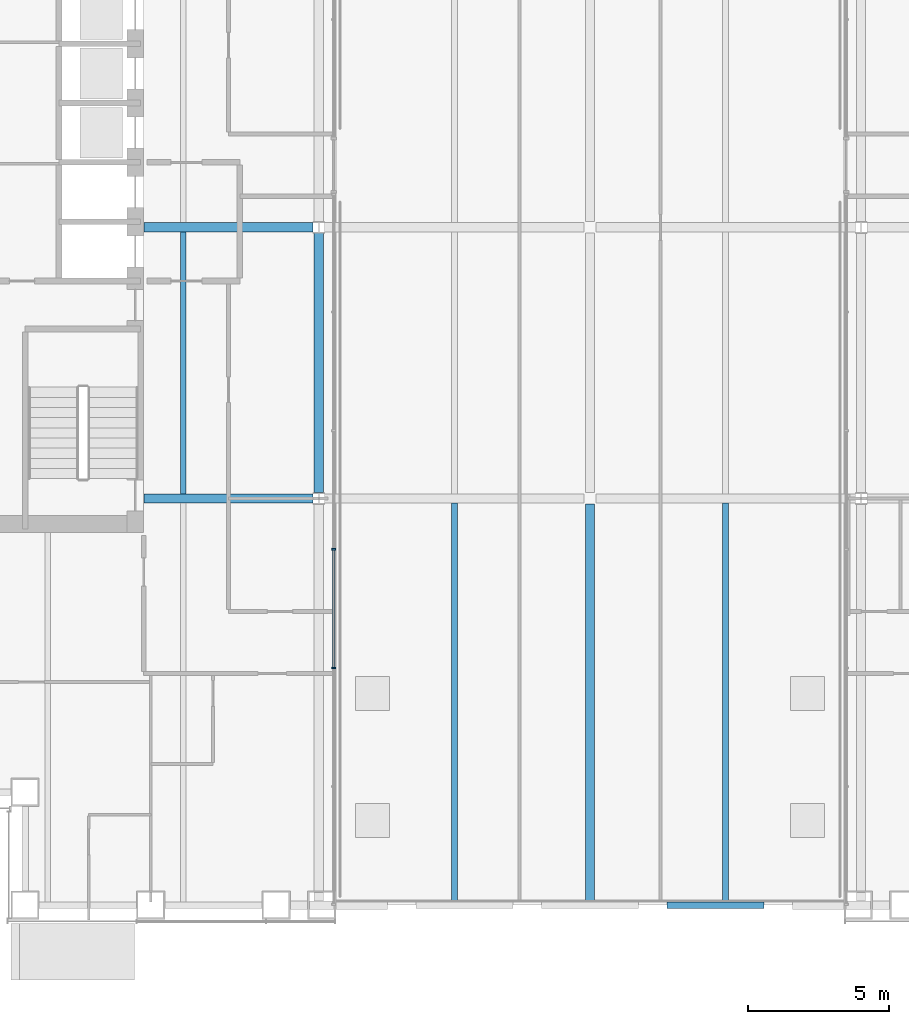
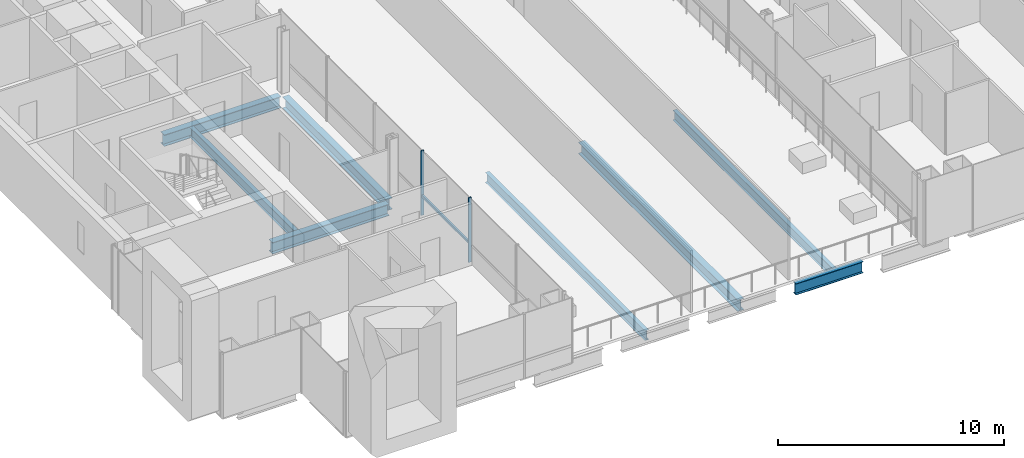
# One storey, part 3 of 24: 8 beams, 3 members, 1 element without a shape of its own.
"""IFC4 building model written with IfcOpenShell, lengths in metres."""

from ifc_helpers import new_model, si_unit, direction, frame, origin, origin_2d, place, context, subcontext, project, spatial, rectangle, i_section, extrude, material, material_profile, profile_set, type_object, element, aggregate, save


model = new_model("IFC4")

# Units and contexts
model_context = context("Model", 3, precision=1e-05, world=origin(), true_north=direction((0.0, 1.0)))
body_context = subcontext(model_context, "Body", "Model", "MODEL_VIEW")
ifc_project = project(units=[si_unit("LENGTHUNIT", "METRE"), si_unit("AREAUNIT", "SQUARE_METRE"), si_unit("VOLUMEUNIT", "CUBIC_METRE"), si_unit("PLANEANGLEUNIT", "RADIAN"), si_unit("MASSUNIT", "GRAM", prefix="KILO")], contexts=[model_context])

# Site, building, storey
site_placement = place(None, origin())
site = spatial("IfcSite", under=ifc_project, at=site_placement, CompositionType="ELEMENT")
building_placement = place(site_placement, origin())
building = spatial("IfcBuilding", under=site, at=building_placement, Name="Cobrizo Arcos Hotel Tower", CompositionType="ELEMENT")
storey_placement = place(building_placement, frame((0.0, 0.0, 60.0)))
storey = spatial("IfcBuildingStorey", under=building, at=storey_placement, Name="L13", CompositionType="ELEMENT", Elevation=60.0)

# Curtain wall, members
ifc_material_1 = material(Name="Aluminium 6063-T6 anodised bronze", Category="aluminium")
curtain_wall_type = type_object("IfcCurtainWallType", Name="CW-F void screen", PredefinedType="NOTDEFINED", material=ifc_material_1)
curtain_wall_placement = place(storey_placement, origin())
curtain_wall = element("IfcCurtainWall", 1, at=curtain_wall_placement, inside=storey, type_object=curtain_wall_type, Name="CW-F L13 void screen A", PredefinedType="NOTDEFINED")
ifc_material_profile_1 = material_profile(ifc_material_1, rectangle(XDim=0.14990234375, YDim=0.06005859375, at=origin_2d()), Name="CW-F mullion 150x60")
ifc_profile_set_1 = profile_set([ifc_material_profile_1], Name="Aluminium 6063-T6 anodised bronze")
member_type_1 = type_object("IfcMemberType", Name="CW-F mullion 150x60", PredefinedType="MULLION", material=ifc_profile_set_1)
member_1_placement = place(storey_placement, frame((-9.074951171875, -11.39990234375, 0.0), z_axis=(0.0, 0.0, 1.0), x_axis=(-1.0, 0.0, 0.0)))
member_1 = element("IfcMember", 2, at=member_1_placement, type_object=member_type_1, Name="CW-F mullion 4", PredefinedType="MULLION", context=body_context, shape_type="SweptSolid", body=[
    extrude(rectangle(XDim=0.14990234375, YDim=0.06005859375, at=origin_2d()), origin(), (0.0, 0.0, 1.0), 3.5),
])
member_2_placement = place(storey_placement, frame((-9.074951171875, -15.60009765625, 0.0), z_axis=(0.0, 0.0, 1.0), x_axis=(-1.0, 0.0, 0.0)))
member_2 = element("IfcMember", 3, at=member_2_placement, type_object=member_type_1, Name="CW-F mullion 5", PredefinedType="MULLION", context=body_context, shape_type="SweptSolid", body=[
    extrude(rectangle(XDim=0.14990234375, YDim=0.06005859375, at=origin_2d()), origin(), (0.0, 0.0, 1.0), 3.5),
])
ifc_material_profile_2 = material_profile(ifc_material_1, rectangle(XDim=0.10009765625, YDim=0.1201171875, at=origin_2d()), Name="CW-F transom 120x100")
ifc_profile_set_2 = profile_set([ifc_material_profile_2], Name="Aluminium 6063-T6 anodised bronze")
member_type_2 = type_object("IfcMemberType", Name="CW-F transom 120x100", PredefinedType="USERDEFINED", material=ifc_profile_set_2)
member_3_placement = place(storey_placement, frame((-9.074951171875, -11.429931640625, 1.050048828125), z_axis=(0.0, -1.0, 0.0), x_axis=(1.0, 0.0, 0.0)))
member_3 = element("IfcMember", 4, at=member_3_placement, type_object=member_type_2, Name="CW-F transom 2445", ObjectType="TRANSOM", PredefinedType="USERDEFINED", context=body_context, shape_type="SweptSolid", body=[
    extrude(rectangle(XDim=0.10009765625, YDim=0.1201171875, at=origin_2d()), origin(), (0.0, 0.0, 1.0), 4.14013671875),
])
aggregate(curtain_wall, [member_1, member_2, member_3])

# Beams
ifc_material_2 = material(Name="Steel ASTM A992 Grade 50", Category="steel")
ifc_material_profile_3 = material_profile(ifc_material_2, i_section(OverallWidth=0.209228515625, OverallDepth=0.533447265625, WebThickness=0.01025390625, FlangeThickness=0.015625, at=origin_2d()), Name="W21X62")
ifc_profile_set_3 = profile_set([ifc_material_profile_3], Name="Steel ASTM A992 Grade 50")
beam_type_1 = type_object("IfcBeamType", Name="W21X62 joist", PredefinedType="JOIST", material=ifc_profile_set_3)
beam_1_placement = place(storey_placement, frame((-14.39990234375, -9.43603515625, -0.416748046875), z_axis=(0.0, 1.0, 0.0), x_axis=(-1.0, 0.0, 0.0)))
element("IfcBeam", 5, at=beam_1_placement, inside=storey, type_object=beam_type_1, Name="Floor joist J1, L13, no. 004", PredefinedType="JOIST", context=body_context, shape_type="SweptSolid", body=[
    extrude(i_section(OverallWidth=0.209228515625, OverallDepth=0.533447265625, WebThickness=0.01025390625, FlangeThickness=0.015625, at=origin_2d()), origin(), (0.0, 0.0, 1.0), 9.272216796875),
])
for number, where, z_axis, x_axis, name in (
    (6, (-4.800048828125, -23.909912109375, -0.416748046875), (0.0, 1.0, 0.0), (-1.0, 0.0, 0.0), "Floor joist J1, L13, no. 007"),
    (7, (4.800048828125, -23.909912109375, -0.416748046875), (0.0, 1.0, 0.0), (-1.0, 0.0, 0.0), "Floor joist J1, L13, no. 011"),
):
    element("IfcBeam", number, at=place(storey_placement, frame(where, z_axis=z_axis, x_axis=x_axis)), inside=storey, type_object=beam_type_1, Name=name, PredefinedType="JOIST", context=body_context, shape_type="SweptSolid", body=[
        extrude(i_section(OverallWidth=0.209228515625, OverallDepth=0.533447265625, WebThickness=0.01025390625, FlangeThickness=0.015625, at=origin_2d()), origin(), (0.0, 0.0, 1.0), 14.14599609375),
    ])
ifc_material_profile_4 = material_profile(ifc_material_2, i_section(OverallWidth=0.32763671875, OverallDepth=0.622314453125, WebThickness=0.015380859375, FlangeThickness=0.0244140625, at=origin_2d()), Name="W24X131")
ifc_profile_set_4 = profile_set([ifc_material_profile_4], Name="Steel ASTM A992 Grade 50")
beam_type_2 = type_object("IfcBeamType", Name="W24X131 girder", PredefinedType="BEAM", material=ifc_profile_set_4)
for number, where, z_axis, x_axis, name in (
    (8, (-15.7900390625, -9.60009765625, -0.461181640625), (1.0, 0.0, 0.0), (0.0, 1.0, 0.0), "Floor girder G1, L13, no. 001"),
    (9, (-15.7900390625, 0.0, -0.461181640625), (1.0, 0.0, 0.0), (0.0, 1.0, 0.0), "Floor girder G1, L13, no. 005"),
):
    element("IfcBeam", number, at=place(storey_placement, frame(where, z_axis=z_axis, x_axis=x_axis)), inside=storey, type_object=beam_type_2, Name=name, PredefinedType="BEAM", context=body_context, shape_type="SweptSolid", body=[
        extrude(i_section(OverallWidth=0.32763671875, OverallDepth=0.622314453125, WebThickness=0.015380859375, FlangeThickness=0.0244140625, at=origin_2d()), origin(), (0.0, 0.0, 1.0), 5.985595703125),
    ])
beam_2_placement = place(storey_placement, frame((-9.60009765625, -9.3955078125, -0.461181640625), z_axis=(0.0, 1.0, 0.0), x_axis=(-1.0, 0.0, 0.0)))
element("IfcBeam", 10, at=beam_2_placement, inside=storey, type_object=beam_type_2, Name="Floor girder G1, L13, no. 014", PredefinedType="BEAM", context=body_context, shape_type="SweptSolid", body=[
    extrude(i_section(OverallWidth=0.32763671875, OverallDepth=0.622314453125, WebThickness=0.015380859375, FlangeThickness=0.0244140625, at=origin_2d()), origin(), (0.0, 0.0, 1.0), 9.191162109375),
])
beam_3_placement = place(storey_placement, frame((0.0, -23.909912109375, -0.461181640625), z_axis=(0.0, 1.0, 0.0), x_axis=(-1.0, 0.0, 0.0)))
element("IfcBeam", 11, at=beam_3_placement, inside=storey, type_object=beam_type_2, Name="Floor girder G1, L13, no. 017", PredefinedType="BEAM", context=body_context, shape_type="SweptSolid", body=[
    extrude(i_section(OverallWidth=0.32763671875, OverallDepth=0.622314453125, WebThickness=0.015380859375, FlangeThickness=0.0244140625, at=origin_2d()), origin(), (0.0, 0.0, 1.0), 14.10546875),
])
ifc_material_profile_5 = material_profile(ifc_material_2, i_section(OverallWidth=0.23046875, OverallDepth=0.6171875, WebThickness=0.01318359375, FlangeThickness=0.022216796875, at=origin_2d()), Name="W24X94")
ifc_profile_set_5 = profile_set([ifc_material_profile_5], Name="Steel ASTM A992 Grade 50")
beam_type_3 = type_object("IfcBeamType", Name="W24X94 spandrel", PredefinedType="SPANDREL", material=ifc_profile_set_5)
beam_4_placement = place(storey_placement, frame((2.721923828125, -24.0, -0.45849609375), z_axis=(1.0, 0.0, 0.0), x_axis=(0.0, 1.0, 0.0)))
element("IfcBeam", 12, at=beam_4_placement, inside=storey, type_object=beam_type_3, Name="Spandrel beam W24X94, L13, no. 005", PredefinedType="SPANDREL", context=body_context, shape_type="SweptSolid", body=[
    extrude(i_section(OverallWidth=0.23046875, OverallDepth=0.6171875, WebThickness=0.01318359375, FlangeThickness=0.022216796875, at=origin_2d()), origin(), (0.0, 0.0, 1.0), 3.445068359375),
])

save(model, "model.ifc")
